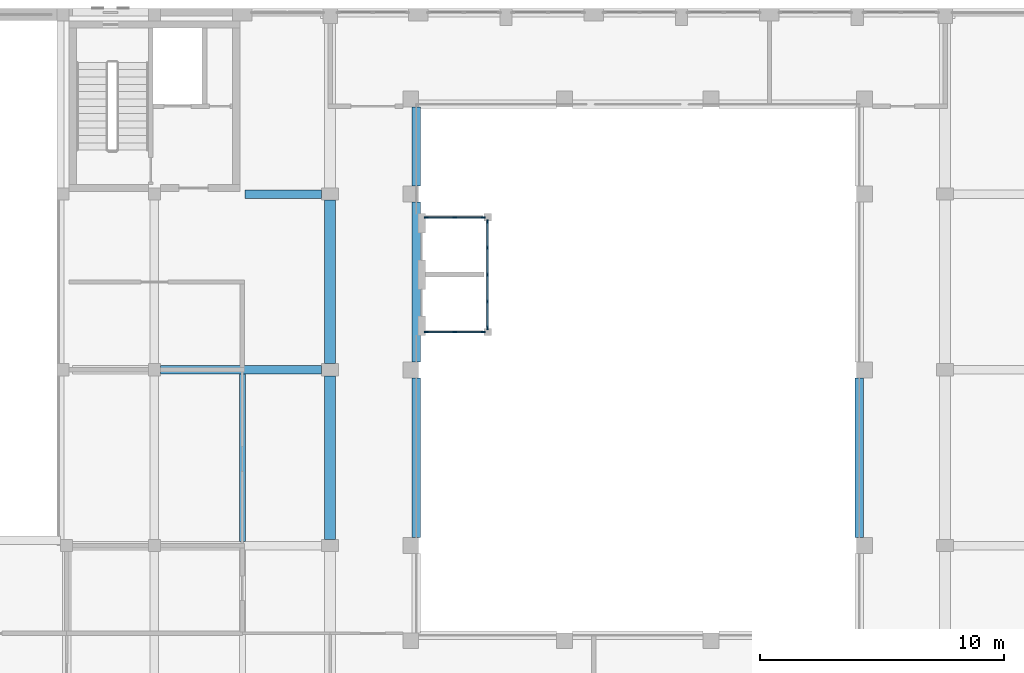
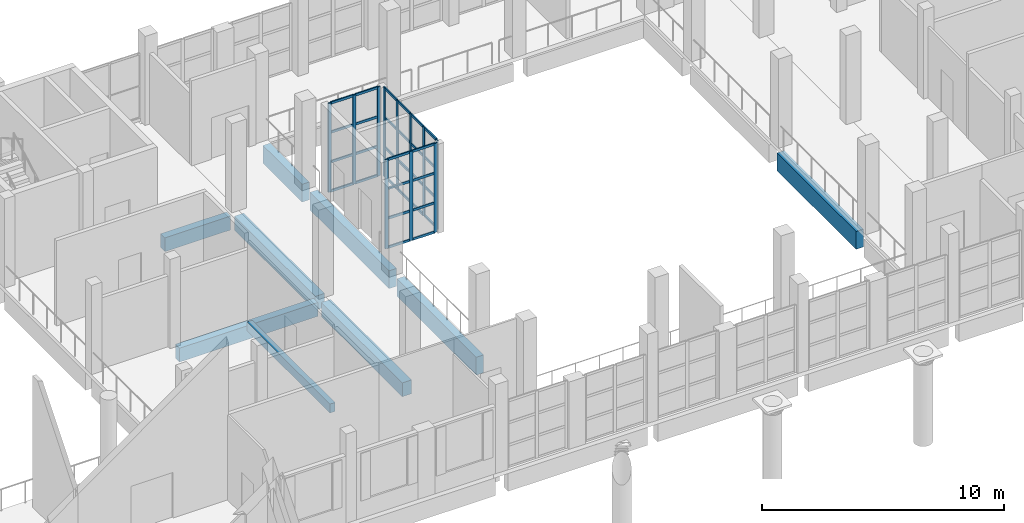
# One storey, part 6 of 59: 43 members, 9 beams, 3 elements without a shape of their own.
"""IFC4 building model written with IfcOpenShell, lengths in metres."""

from ifc_helpers import new_model, si_unit, direction, frame, origin, origin_2d, place, context, subcontext, project, spatial, rectangle, extrude, material, layer, layer_set, material_profile, profile_set, type_object, element, aggregate, save


model = new_model("IFC4")

# Units and contexts
model_context = context("Model", 3, precision=1e-05, world=origin(), true_north=direction((0.0, 1.0)))
body_context = subcontext(model_context, "Body", "Model", "MODEL_VIEW")
ifc_project = project(units=[si_unit("LENGTHUNIT", "METRE"), si_unit("AREAUNIT", "SQUARE_METRE"), si_unit("VOLUMEUNIT", "CUBIC_METRE"), si_unit("PLANEANGLEUNIT", "RADIAN"), si_unit("MASSUNIT", "GRAM", prefix="KILO")], contexts=[model_context])

# Site, building, storey
site_placement = place(None, origin())
site = spatial("IfcSite", under=ifc_project, at=site_placement, CompositionType="ELEMENT")
building_placement = place(site_placement, origin())
building = spatial("IfcBuilding", under=site, at=building_placement, Name="Ussher Court Research Institute", CompositionType="ELEMENT")
storey_placement = place(building_placement, frame((0.0, 0.0, 5.39990234375)))
storey = spatial("IfcBuildingStorey", under=building, at=storey_placement, Name="L01", CompositionType="ELEMENT", Elevation=5.39990234375)

# Curtain wall, members
ifc_material_1 = material(Name="Bronze anodised aluminium with low-e glass", Category="aluminium")
ifc_layer = layer(ifc_material_1, 0.1201171875)
ifc_layer_set = layer_set([ifc_layer], Name="Bronze anodised aluminium with low-e glass")
curtain_wall_type = type_object("IfcCurtainWallType", Name="Curtain wall atrium clear glazing", PredefinedType="NOTDEFINED", material=ifc_layer_set)
curtain_wall_1_placement = place(storey_placement, origin())
curtain_wall_1 = element("IfcCurtainWall", 1, at=curtain_wall_1_placement, inside=storey, type_object=curtain_wall_type, Name="Curtain wall CW2 lift shaft L01", PredefinedType="NOTDEFINED")
ifc_material_2 = material(Name="Bronze anodised aluminium", Category="aluminium")
ifc_material_profile_1 = material_profile(ifc_material_2, rectangle(XDim=0.06005859375, YDim=0.159912109375, at=origin_2d()), Name="Mullion 60x160")
ifc_profile_set_1 = profile_set([ifc_material_profile_1], Name="Bronze anodised aluminium")
member_type_1 = type_object("IfcMemberType", Name="Mullion 60x160", PredefinedType="MULLION", material=ifc_profile_set_1)
member_1_placement = place(storey_placement, frame((42.929931640625, 27.14990234375, 0.0), z_axis=(0.0, 0.0, 1.0), x_axis=(0.0, 1.0, 0.0)))
member_1 = element("IfcMember", 2, at=member_1_placement, type_object=member_type_1, Name="CW2 mullion 1", PredefinedType="MULLION", context=body_context, shape_type="SweptSolid", body=[
    extrude(rectangle(XDim=0.06005859375, YDim=0.159912109375, at=origin_2d()), origin(), (0.0, 0.0, 1.0), 4.5),
])
member_2_placement = place(storey_placement, frame((44.10009765625, 27.14990234375, 0.0), z_axis=(0.0, 0.0, 1.0), x_axis=(0.0, 1.0, 0.0)))
member_2 = element("IfcMember", 3, at=member_2_placement, type_object=member_type_1, Name="CW2 mullion 2", PredefinedType="MULLION", context=body_context, shape_type="SweptSolid", body=[
    extrude(rectangle(XDim=0.06005859375, YDim=0.159912109375, at=origin_2d()), origin(), (0.0, 0.0, 1.0), 4.5),
])
member_3_placement = place(storey_placement, frame((45.27001953125, 27.14990234375, 0.0), z_axis=(0.0, 0.0, 1.0), x_axis=(0.0, 1.0, 0.0)))
member_3 = element("IfcMember", 4, at=member_3_placement, type_object=member_type_1, Name="CW2 mullion 3", PredefinedType="MULLION", context=body_context, shape_type="SweptSolid", body=[
    extrude(rectangle(XDim=0.06005859375, YDim=0.159912109375, at=origin_2d()), origin(), (0.0, 0.0, 1.0), 4.5),
])

curtain_wall_2_placement = place(storey_placement, origin())
curtain_wall_2 = element("IfcCurtainWall", 5, at=curtain_wall_2_placement, inside=storey, type_object=curtain_wall_type, Name="Curtain wall CW2 lift shaft L01", PredefinedType="NOTDEFINED")
member_4_placement = place(storey_placement, frame((42.929931640625, 31.85009765625, 0.0), z_axis=(0.0, 0.0, 1.0), x_axis=(0.0, 1.0, 0.0)))
member_4 = element("IfcMember", 6, at=member_4_placement, type_object=member_type_1, Name="CW2 mullion 1", PredefinedType="MULLION", context=body_context, shape_type="SweptSolid", body=[
    extrude(rectangle(XDim=0.06005859375, YDim=0.159912109375, at=origin_2d()), origin(), (0.0, 0.0, 1.0), 4.5),
])
member_5_placement = place(storey_placement, frame((44.10009765625, 31.85009765625, 0.0), z_axis=(0.0, 0.0, 1.0), x_axis=(0.0, 1.0, 0.0)))
member_5 = element("IfcMember", 7, at=member_5_placement, type_object=member_type_1, Name="CW2 mullion 2", PredefinedType="MULLION", context=body_context, shape_type="SweptSolid", body=[
    extrude(rectangle(XDim=0.06005859375, YDim=0.159912109375, at=origin_2d()), origin(), (0.0, 0.0, 1.0), 4.5),
])
member_6_placement = place(storey_placement, frame((45.27001953125, 31.85009765625, 0.0), z_axis=(0.0, 0.0, 1.0), x_axis=(0.0, 1.0, 0.0)))
member_6 = element("IfcMember", 8, at=member_6_placement, type_object=member_type_1, Name="CW2 mullion 3", PredefinedType="MULLION", context=body_context, shape_type="SweptSolid", body=[
    extrude(rectangle(XDim=0.06005859375, YDim=0.159912109375, at=origin_2d()), origin(), (0.0, 0.0, 1.0), 4.5),
])

curtain_wall_3_placement = place(storey_placement, origin())
curtain_wall_3 = element("IfcCurtainWall", 9, at=curtain_wall_3_placement, inside=storey, type_object=curtain_wall_type, Name="Curtain wall CW2 lift shaft L01", PredefinedType="NOTDEFINED")
member_7_placement = place(storey_placement, frame((45.449951171875, 27.330078125, 0.0), z_axis=(0.0, 0.0, 1.0), x_axis=(-1.0, 0.0, 0.0)))
member_7 = element("IfcMember", 10, at=member_7_placement, type_object=member_type_1, Name="CW2 mullion 1", PredefinedType="MULLION", context=body_context, shape_type="SweptSolid", body=[
    extrude(rectangle(XDim=0.06005859375, YDim=0.159912109375, at=origin_2d()), origin(), (0.0, 0.0, 1.0), 4.5),
])
member_8_placement = place(storey_placement, frame((45.449951171875, 28.39990234375, 0.0), z_axis=(0.0, 0.0, 1.0), x_axis=(-1.0, 0.0, 0.0)))
member_8 = element("IfcMember", 11, at=member_8_placement, type_object=member_type_1, Name="CW2 mullion 2", PredefinedType="MULLION", context=body_context, shape_type="SweptSolid", body=[
    extrude(rectangle(XDim=0.06005859375, YDim=0.159912109375, at=origin_2d()), origin(), (0.0, 0.0, 1.0), 4.5),
])
member_9_placement = place(storey_placement, frame((45.449951171875, 29.5, 0.0), z_axis=(0.0, 0.0, 1.0), x_axis=(-1.0, 0.0, 0.0)))
member_9 = element("IfcMember", 12, at=member_9_placement, type_object=member_type_1, Name="CW2 mullion 3", PredefinedType="MULLION", context=body_context, shape_type="SweptSolid", body=[
    extrude(rectangle(XDim=0.06005859375, YDim=0.159912109375, at=origin_2d()), origin(), (0.0, 0.0, 1.0), 4.5),
])
member_10_placement = place(storey_placement, frame((45.449951171875, 30.60009765625, 0.0), z_axis=(0.0, 0.0, 1.0), x_axis=(-1.0, 0.0, 0.0)))
member_10 = element("IfcMember", 13, at=member_10_placement, type_object=member_type_1, Name="CW2 mullion 4", PredefinedType="MULLION", context=body_context, shape_type="SweptSolid", body=[
    extrude(rectangle(XDim=0.06005859375, YDim=0.159912109375, at=origin_2d()), origin(), (0.0, 0.0, 1.0), 4.5),
])
member_11_placement = place(storey_placement, frame((45.449951171875, 31.669921875, 0.0), z_axis=(0.0, 0.0, 1.0), x_axis=(-1.0, 0.0, 0.0)))
member_11 = element("IfcMember", 14, at=member_11_placement, type_object=member_type_1, Name="CW2 mullion 5", PredefinedType="MULLION", context=body_context, shape_type="SweptSolid", body=[
    extrude(rectangle(XDim=0.06005859375, YDim=0.159912109375, at=origin_2d()), origin(), (0.0, 0.0, 1.0), 4.5),
])

# Beams
ifc_material_3 = material(Name="Concrete C35/45", Category="concrete")
ifc_material_profile_2 = material_profile(ifc_material_3, rectangle(XDim=0.25, YDim=0.449951171875, at=origin_2d()), Name="RC 250x450")
ifc_profile_set_2 = profile_set([ifc_material_profile_2], Name="Concrete C35/45")
beam_type_1 = type_object("IfcBeamType", Name="RC 250x450 beam", PredefinedType="BEAM", material=ifc_profile_set_2)
beam_1_placement = place(storey_placement, frame((35.39990234375, 18.574951171875, -0.224853515625), z_axis=(0.0, 1.0, 0.0), x_axis=(-1.0, 0.0, 0.0)))
element("IfcBeam", 15, at=beam_1_placement, inside=storey, type_object=beam_type_1, Name="B1 V7 L01-02", PredefinedType="BEAM", context=body_context, shape_type="SweptSolid", body=[
    extrude(rectangle(XDim=0.25, YDim=0.449951171875, at=origin_2d()), origin(), (0.0, 0.0, 1.0), 6.85009765625),
])
ifc_material_4 = material(Name="Concrete C35/45", Category="concrete")
ifc_material_profile_3 = material_profile(ifc_material_4, rectangle(XDim=0.35009765625, YDim=0.699951171875, at=origin_2d()), Name="RC 350x700")
ifc_profile_set_3 = profile_set([ifc_material_profile_3], Name="Concrete C35/45")
beam_type_2 = type_object("IfcBeamType", Name="RC 350x700 beam", PredefinedType="BEAM", material=ifc_profile_set_3)
beam_2_placement = place(storey_placement, frame((32.050048828125, 25.60009765625, -0.5498046875), z_axis=(1.0, 0.0, 0.0), x_axis=(0.0, 1.0, 0.0)))
element("IfcBeam", 16, at=beam_2_placement, inside=storey, type_object=beam_type_2, Name="B16 V7 L01-07", PredefinedType="BEAM", context=body_context, shape_type="SweptSolid", body=[
    extrude(rectangle(XDim=0.35009765625, YDim=0.699951171875, at=origin_2d()), origin(), (0.0, 0.0, 1.0), 6.599853515625),
])
beam_3_placement = place(storey_placement, frame((35.5, 32.800048828125, -0.5498046875), z_axis=(1.0, 0.0, 0.0), x_axis=(0.0, 1.0, 0.0)))
element("IfcBeam", 17, at=beam_3_placement, inside=storey, type_object=beam_type_2, Name="B16 V7 L01-11", PredefinedType="BEAM", context=body_context, shape_type="SweptSolid", body=[
    extrude(rectangle(XDim=0.35009765625, YDim=0.699951171875, at=origin_2d()), origin(), (0.0, 0.0, 1.0), 3.14990234375),
])
ifc_material_5 = material(Name="Concrete C35/45", Category="concrete")
ifc_material_profile_4 = material_profile(ifc_material_5, rectangle(XDim=0.35009765625, YDim=0.89990234375, at=origin_2d()), Name="RC 350x900")
ifc_profile_set_4 = profile_set([ifc_material_profile_4], Name="Concrete C35/45")
beam_type_3 = type_object("IfcBeamType", Name="RC 350x900 beam", PredefinedType="BEAM", material=ifc_profile_set_4)
beam_4_placement = place(storey_placement, frame((42.52490234375, 18.72509765625, -0.64990234375), z_axis=(0.0, 1.0, 0.0), x_axis=(-1.0, 0.0, 0.0)))
element("IfcBeam", 18, at=beam_4_placement, inside=storey, type_object=beam_type_3, Name="SB1 V2 L01-10", PredefinedType="BEAM", context=body_context, shape_type="SweptSolid", body=[
    extrude(rectangle(XDim=0.35009765625, YDim=0.89990234375, at=origin_2d()), origin(), (0.0, 0.0, 1.0), 6.5498046875),
])
beam_5_placement = place(storey_placement, frame((42.52490234375, 25.925048828125, -0.64990234375), z_axis=(0.0, 1.0, 0.0), x_axis=(-1.0, 0.0, 0.0)))
element("IfcBeam", 19, at=beam_5_placement, inside=storey, type_object=beam_type_3, Name="SB1 V2 L01-11", PredefinedType="BEAM", context=body_context, shape_type="SweptSolid", body=[
    extrude(rectangle(XDim=0.35009765625, YDim=0.89990234375, at=origin_2d()), origin(), (0.0, 0.0, 1.0), 6.550048828125),
])
beam_6_placement = place(storey_placement, frame((42.52490234375, 33.125, -0.64990234375), z_axis=(0.0, 1.0, 0.0), x_axis=(-1.0, 0.0, 0.0)))
element("IfcBeam", 20, at=beam_6_placement, inside=storey, type_object=beam_type_3, Name="SB1 V2 L01-12", PredefinedType="BEAM", context=body_context, shape_type="SweptSolid", body=[
    extrude(rectangle(XDim=0.35009765625, YDim=0.89990234375, at=origin_2d()), origin(), (0.0, 0.0, 1.0), 3.25),
])
beam_7_placement = place(storey_placement, frame((60.675048828125, 18.72509765625, -0.64990234375), z_axis=(0.0, 1.0, 0.0), x_axis=(-1.0, 0.0, 0.0)))
element("IfcBeam", 21, at=beam_7_placement, inside=storey, type_object=beam_type_3, Name="SB1 V2 L01-14", PredefinedType="BEAM", context=body_context, shape_type="SweptSolid", body=[
    extrude(rectangle(XDim=0.35009765625, YDim=0.89990234375, at=origin_2d()), origin(), (0.0, 0.0, 1.0), 6.5498046875),
])
ifc_material_6 = material(Name="Concrete C35/45", Category="concrete")
ifc_material_profile_5 = material_profile(ifc_material_6, rectangle(XDim=0.449951171875, YDim=0.699951171875, at=origin_2d()), Name="RC 450x700")
ifc_profile_set_5 = profile_set([ifc_material_profile_5], Name="Concrete C35/45")
beam_type_4 = type_object("IfcBeamType", Name="RC 450x700 beam", PredefinedType="BEAM", material=ifc_profile_set_5)
beam_8_placement = place(storey_placement, frame((39.0, 18.64990234375, -0.5498046875), z_axis=(0.0, 1.0, 0.0), x_axis=(-1.0, 0.0, 0.0)))
element("IfcBeam", 22, at=beam_8_placement, inside=storey, type_object=beam_type_4, Name="B10 V2 L01-02", PredefinedType="BEAM", context=body_context, shape_type="SweptSolid", body=[
    extrude(rectangle(XDim=0.449951171875, YDim=0.699951171875, at=origin_2d()), origin(), (0.0, 0.0, 1.0), 6.7001953125),
])
beam_9_placement = place(storey_placement, frame((39.0, 25.85009765625, -0.5498046875), z_axis=(0.0, 1.0, 0.0), x_axis=(-1.0, 0.0, 0.0)))
element("IfcBeam", 23, at=beam_9_placement, inside=storey, type_object=beam_type_4, Name="B10 V2 L01-03", PredefinedType="BEAM", context=body_context, shape_type="SweptSolid", body=[
    extrude(rectangle(XDim=0.449951171875, YDim=0.699951171875, at=origin_2d()), origin(), (0.0, 0.0, 1.0), 6.699951171875),
])

# Member
ifc_material_7 = material(Name="Bronze anodised aluminium", Category="aluminium")
ifc_material_profile_6 = material_profile(ifc_material_7, rectangle(XDim=0.06005859375, YDim=0.1201171875, at=origin_2d()), Name="Transom 60x120")
ifc_profile_set_6 = profile_set([ifc_material_profile_6], Name="Bronze anodised aluminium")
member_type_2 = type_object("IfcMemberType", Name="Transom 60x120", PredefinedType="USERDEFINED", material=ifc_profile_set_6)
member_12_placement = place(storey_placement, frame((42.9599609375, 27.14990234375, 0.030029296875), z_axis=(1.0, 0.0, 0.0), x_axis=(0.0, 1.0, 0.0)))
member_12 = element("IfcMember", 24, at=member_12_placement, type_object=member_type_2, Name="CW2 transom 1.1", ObjectType="TRANSOM", PredefinedType="USERDEFINED", context=body_context, shape_type="SweptSolid", body=[
    extrude(rectangle(XDim=0.06005859375, YDim=0.1201171875, at=origin_2d()), origin(), (0.0, 0.0, 1.0), 1.110107421875),
])

member_13_placement = place(storey_placement, frame((42.9599609375, 27.14990234375, 1.5), z_axis=(1.0, 0.0, 0.0), x_axis=(0.0, 1.0, 0.0)))
member_13 = element("IfcMember", 25, at=member_13_placement, type_object=member_type_2, Name="CW2 transom 1.2", ObjectType="TRANSOM", PredefinedType="USERDEFINED", context=body_context, shape_type="SweptSolid", body=[
    extrude(rectangle(XDim=0.06005859375, YDim=0.1201171875, at=origin_2d()), origin(), (0.0, 0.0, 1.0), 1.110107421875),
])

member_14_placement = place(storey_placement, frame((42.9599609375, 27.14990234375, 3.0), z_axis=(1.0, 0.0, 0.0), x_axis=(0.0, 1.0, 0.0)))
member_14 = element("IfcMember", 26, at=member_14_placement, type_object=member_type_2, Name="CW2 transom 1.3", ObjectType="TRANSOM", PredefinedType="USERDEFINED", context=body_context, shape_type="SweptSolid", body=[
    extrude(rectangle(XDim=0.06005859375, YDim=0.1201171875, at=origin_2d()), origin(), (0.0, 0.0, 1.0), 1.110107421875),
])

member_15_placement = place(storey_placement, frame((42.9599609375, 27.14990234375, 4.47021484375), z_axis=(1.0, 0.0, 0.0), x_axis=(0.0, 1.0, 0.0)))
member_15 = element("IfcMember", 27, at=member_15_placement, type_object=member_type_2, Name="CW2 transom 1.4", ObjectType="TRANSOM", PredefinedType="USERDEFINED", context=body_context, shape_type="SweptSolid", body=[
    extrude(rectangle(XDim=0.06005859375, YDim=0.1201171875, at=origin_2d()), origin(), (0.0, 0.0, 1.0), 1.110107421875),
])

member_16_placement = place(storey_placement, frame((44.1298828125, 27.14990234375, 0.030029296875), z_axis=(1.0, 0.0, 0.0), x_axis=(0.0, 1.0, 0.0)))
member_16 = element("IfcMember", 28, at=member_16_placement, type_object=member_type_2, Name="CW2 transom 2.1", ObjectType="TRANSOM", PredefinedType="USERDEFINED", context=body_context, shape_type="SweptSolid", body=[
    extrude(rectangle(XDim=0.06005859375, YDim=0.1201171875, at=origin_2d()), origin(), (0.0, 0.0, 1.0), 1.110107421875),
])

member_17_placement = place(storey_placement, frame((44.1298828125, 27.14990234375, 1.5), z_axis=(1.0, 0.0, 0.0), x_axis=(0.0, 1.0, 0.0)))
member_17 = element("IfcMember", 29, at=member_17_placement, type_object=member_type_2, Name="CW2 transom 2.2", ObjectType="TRANSOM", PredefinedType="USERDEFINED", context=body_context, shape_type="SweptSolid", body=[
    extrude(rectangle(XDim=0.06005859375, YDim=0.1201171875, at=origin_2d()), origin(), (0.0, 0.0, 1.0), 1.110107421875),
])

member_18_placement = place(storey_placement, frame((44.1298828125, 27.14990234375, 3.0), z_axis=(1.0, 0.0, 0.0), x_axis=(0.0, 1.0, 0.0)))
member_18 = element("IfcMember", 30, at=member_18_placement, type_object=member_type_2, Name="CW2 transom 2.3", ObjectType="TRANSOM", PredefinedType="USERDEFINED", context=body_context, shape_type="SweptSolid", body=[
    extrude(rectangle(XDim=0.06005859375, YDim=0.1201171875, at=origin_2d()), origin(), (0.0, 0.0, 1.0), 1.110107421875),
])

member_19_placement = place(storey_placement, frame((44.1298828125, 27.14990234375, 4.47021484375), z_axis=(1.0, 0.0, 0.0), x_axis=(0.0, 1.0, 0.0)))
member_19 = element("IfcMember", 31, at=member_19_placement, type_object=member_type_2, Name="CW2 transom 2.4", ObjectType="TRANSOM", PredefinedType="USERDEFINED", context=body_context, shape_type="SweptSolid", body=[
    extrude(rectangle(XDim=0.06005859375, YDim=0.1201171875, at=origin_2d()), origin(), (0.0, 0.0, 1.0), 1.110107421875),
])

aggregate(curtain_wall_1, [member_1, member_2, member_3, member_12, member_13, member_14, member_15, member_16, member_17, member_18, member_19])

member_20_placement = place(storey_placement, frame((42.9599609375, 31.85009765625, 0.030029296875), z_axis=(1.0, 0.0, 0.0), x_axis=(0.0, 1.0, 0.0)))
member_20 = element("IfcMember", 32, at=member_20_placement, type_object=member_type_2, Name="CW2 transom 1.1", ObjectType="TRANSOM", PredefinedType="USERDEFINED", context=body_context, shape_type="SweptSolid", body=[
    extrude(rectangle(XDim=0.06005859375, YDim=0.1201171875, at=origin_2d()), origin(), (0.0, 0.0, 1.0), 1.110107421875),
])

member_21_placement = place(storey_placement, frame((42.9599609375, 31.85009765625, 1.5), z_axis=(1.0, 0.0, 0.0), x_axis=(0.0, 1.0, 0.0)))
member_21 = element("IfcMember", 33, at=member_21_placement, type_object=member_type_2, Name="CW2 transom 1.2", ObjectType="TRANSOM", PredefinedType="USERDEFINED", context=body_context, shape_type="SweptSolid", body=[
    extrude(rectangle(XDim=0.06005859375, YDim=0.1201171875, at=origin_2d()), origin(), (0.0, 0.0, 1.0), 1.110107421875),
])

member_22_placement = place(storey_placement, frame((42.9599609375, 31.85009765625, 3.0), z_axis=(1.0, 0.0, 0.0), x_axis=(0.0, 1.0, 0.0)))
member_22 = element("IfcMember", 34, at=member_22_placement, type_object=member_type_2, Name="CW2 transom 1.3", ObjectType="TRANSOM", PredefinedType="USERDEFINED", context=body_context, shape_type="SweptSolid", body=[
    extrude(rectangle(XDim=0.06005859375, YDim=0.1201171875, at=origin_2d()), origin(), (0.0, 0.0, 1.0), 1.110107421875),
])

member_23_placement = place(storey_placement, frame((42.9599609375, 31.85009765625, 4.47021484375), z_axis=(1.0, 0.0, 0.0), x_axis=(0.0, 1.0, 0.0)))
member_23 = element("IfcMember", 35, at=member_23_placement, type_object=member_type_2, Name="CW2 transom 1.4", ObjectType="TRANSOM", PredefinedType="USERDEFINED", context=body_context, shape_type="SweptSolid", body=[
    extrude(rectangle(XDim=0.06005859375, YDim=0.1201171875, at=origin_2d()), origin(), (0.0, 0.0, 1.0), 1.110107421875),
])

member_24_placement = place(storey_placement, frame((44.1298828125, 31.85009765625, 0.030029296875), z_axis=(1.0, 0.0, 0.0), x_axis=(0.0, 1.0, 0.0)))
member_24 = element("IfcMember", 36, at=member_24_placement, type_object=member_type_2, Name="CW2 transom 2.1", ObjectType="TRANSOM", PredefinedType="USERDEFINED", context=body_context, shape_type="SweptSolid", body=[
    extrude(rectangle(XDim=0.06005859375, YDim=0.1201171875, at=origin_2d()), origin(), (0.0, 0.0, 1.0), 1.110107421875),
])

member_25_placement = place(storey_placement, frame((44.1298828125, 31.85009765625, 1.5), z_axis=(1.0, 0.0, 0.0), x_axis=(0.0, 1.0, 0.0)))
member_25 = element("IfcMember", 37, at=member_25_placement, type_object=member_type_2, Name="CW2 transom 2.2", ObjectType="TRANSOM", PredefinedType="USERDEFINED", context=body_context, shape_type="SweptSolid", body=[
    extrude(rectangle(XDim=0.06005859375, YDim=0.1201171875, at=origin_2d()), origin(), (0.0, 0.0, 1.0), 1.110107421875),
])

member_26_placement = place(storey_placement, frame((44.1298828125, 31.85009765625, 3.0), z_axis=(1.0, 0.0, 0.0), x_axis=(0.0, 1.0, 0.0)))
member_26 = element("IfcMember", 38, at=member_26_placement, type_object=member_type_2, Name="CW2 transom 2.3", ObjectType="TRANSOM", PredefinedType="USERDEFINED", context=body_context, shape_type="SweptSolid", body=[
    extrude(rectangle(XDim=0.06005859375, YDim=0.1201171875, at=origin_2d()), origin(), (0.0, 0.0, 1.0), 1.110107421875),
])

member_27_placement = place(storey_placement, frame((44.1298828125, 31.85009765625, 4.47021484375), z_axis=(1.0, 0.0, 0.0), x_axis=(0.0, 1.0, 0.0)))
member_27 = element("IfcMember", 39, at=member_27_placement, type_object=member_type_2, Name="CW2 transom 2.4", ObjectType="TRANSOM", PredefinedType="USERDEFINED", context=body_context, shape_type="SweptSolid", body=[
    extrude(rectangle(XDim=0.06005859375, YDim=0.1201171875, at=origin_2d()), origin(), (0.0, 0.0, 1.0), 1.110107421875),
])

aggregate(curtain_wall_2, [member_4, member_5, member_6, member_20, member_21, member_22, member_23, member_24, member_25, member_26, member_27])

member_28_placement = place(storey_placement, frame((45.449951171875, 27.360107421875, 0.030029296875), z_axis=(0.0, 1.0, 0.0), x_axis=(-1.0, 0.0, 0.0)))
member_28 = element("IfcMember", 40, at=member_28_placement, type_object=member_type_2, Name="CW2 transom 1.1", ObjectType="TRANSOM", PredefinedType="USERDEFINED", context=body_context, shape_type="SweptSolid", body=[
    extrude(rectangle(XDim=0.06005859375, YDim=0.1201171875, at=origin_2d()), origin(), (0.0, 0.0, 1.0), 1.010009765625),
])

member_29_placement = place(storey_placement, frame((45.449951171875, 27.360107421875, 1.5), z_axis=(0.0, 1.0, 0.0), x_axis=(-1.0, 0.0, 0.0)))
member_29 = element("IfcMember", 41, at=member_29_placement, type_object=member_type_2, Name="CW2 transom 1.2", ObjectType="TRANSOM", PredefinedType="USERDEFINED", context=body_context, shape_type="SweptSolid", body=[
    extrude(rectangle(XDim=0.06005859375, YDim=0.1201171875, at=origin_2d()), origin(), (0.0, 0.0, 1.0), 1.010009765625),
])

member_30_placement = place(storey_placement, frame((45.449951171875, 27.360107421875, 3.0), z_axis=(0.0, 1.0, 0.0), x_axis=(-1.0, 0.0, 0.0)))
member_30 = element("IfcMember", 42, at=member_30_placement, type_object=member_type_2, Name="CW2 transom 1.3", ObjectType="TRANSOM", PredefinedType="USERDEFINED", context=body_context, shape_type="SweptSolid", body=[
    extrude(rectangle(XDim=0.06005859375, YDim=0.1201171875, at=origin_2d()), origin(), (0.0, 0.0, 1.0), 1.010009765625),
])

member_31_placement = place(storey_placement, frame((45.449951171875, 27.360107421875, 4.47021484375), z_axis=(0.0, 1.0, 0.0), x_axis=(-1.0, 0.0, 0.0)))
member_31 = element("IfcMember", 43, at=member_31_placement, type_object=member_type_2, Name="CW2 transom 1.4", ObjectType="TRANSOM", PredefinedType="USERDEFINED", context=body_context, shape_type="SweptSolid", body=[
    extrude(rectangle(XDim=0.06005859375, YDim=0.1201171875, at=origin_2d()), origin(), (0.0, 0.0, 1.0), 1.010009765625),
])

member_32_placement = place(storey_placement, frame((45.449951171875, 28.429931640625, 0.030029296875), z_axis=(0.0, 1.0, 0.0), x_axis=(-1.0, 0.0, 0.0)))
member_32 = element("IfcMember", 44, at=member_32_placement, type_object=member_type_2, Name="CW2 transom 2.1", ObjectType="TRANSOM", PredefinedType="USERDEFINED", context=body_context, shape_type="SweptSolid", body=[
    extrude(rectangle(XDim=0.06005859375, YDim=0.1201171875, at=origin_2d()), origin(), (0.0, 0.0, 1.0), 1.0400390625),
])

member_33_placement = place(storey_placement, frame((45.449951171875, 28.429931640625, 1.5), z_axis=(0.0, 1.0, 0.0), x_axis=(-1.0, 0.0, 0.0)))
member_33 = element("IfcMember", 45, at=member_33_placement, type_object=member_type_2, Name="CW2 transom 2.2", ObjectType="TRANSOM", PredefinedType="USERDEFINED", context=body_context, shape_type="SweptSolid", body=[
    extrude(rectangle(XDim=0.06005859375, YDim=0.1201171875, at=origin_2d()), origin(), (0.0, 0.0, 1.0), 1.0400390625),
])

member_34_placement = place(storey_placement, frame((45.449951171875, 28.429931640625, 3.0), z_axis=(0.0, 1.0, 0.0), x_axis=(-1.0, 0.0, 0.0)))
member_34 = element("IfcMember", 46, at=member_34_placement, type_object=member_type_2, Name="CW2 transom 2.3", ObjectType="TRANSOM", PredefinedType="USERDEFINED", context=body_context, shape_type="SweptSolid", body=[
    extrude(rectangle(XDim=0.06005859375, YDim=0.1201171875, at=origin_2d()), origin(), (0.0, 0.0, 1.0), 1.0400390625),
])

member_35_placement = place(storey_placement, frame((45.449951171875, 28.429931640625, 4.47021484375), z_axis=(0.0, 1.0, 0.0), x_axis=(-1.0, 0.0, 0.0)))
member_35 = element("IfcMember", 47, at=member_35_placement, type_object=member_type_2, Name="CW2 transom 2.4", ObjectType="TRANSOM", PredefinedType="USERDEFINED", context=body_context, shape_type="SweptSolid", body=[
    extrude(rectangle(XDim=0.06005859375, YDim=0.1201171875, at=origin_2d()), origin(), (0.0, 0.0, 1.0), 1.0400390625),
])

member_36_placement = place(storey_placement, frame((45.449951171875, 29.530029296875, 0.030029296875), z_axis=(0.0, 1.0, 0.0), x_axis=(-1.0, 0.0, 0.0)))
member_36 = element("IfcMember", 48, at=member_36_placement, type_object=member_type_2, Name="CW2 transom 3.1", ObjectType="TRANSOM", PredefinedType="USERDEFINED", context=body_context, shape_type="SweptSolid", body=[
    extrude(rectangle(XDim=0.06005859375, YDim=0.1201171875, at=origin_2d()), origin(), (0.0, 0.0, 1.0), 1.0400390625),
])

member_37_placement = place(storey_placement, frame((45.449951171875, 29.530029296875, 1.5), z_axis=(0.0, 1.0, 0.0), x_axis=(-1.0, 0.0, 0.0)))
member_37 = element("IfcMember", 49, at=member_37_placement, type_object=member_type_2, Name="CW2 transom 3.2", ObjectType="TRANSOM", PredefinedType="USERDEFINED", context=body_context, shape_type="SweptSolid", body=[
    extrude(rectangle(XDim=0.06005859375, YDim=0.1201171875, at=origin_2d()), origin(), (0.0, 0.0, 1.0), 1.0400390625),
])

member_38_placement = place(storey_placement, frame((45.449951171875, 29.530029296875, 3.0), z_axis=(0.0, 1.0, 0.0), x_axis=(-1.0, 0.0, 0.0)))
member_38 = element("IfcMember", 50, at=member_38_placement, type_object=member_type_2, Name="CW2 transom 3.3", ObjectType="TRANSOM", PredefinedType="USERDEFINED", context=body_context, shape_type="SweptSolid", body=[
    extrude(rectangle(XDim=0.06005859375, YDim=0.1201171875, at=origin_2d()), origin(), (0.0, 0.0, 1.0), 1.0400390625),
])

member_39_placement = place(storey_placement, frame((45.449951171875, 29.530029296875, 4.47021484375), z_axis=(0.0, 1.0, 0.0), x_axis=(-1.0, 0.0, 0.0)))
member_39 = element("IfcMember", 51, at=member_39_placement, type_object=member_type_2, Name="CW2 transom 3.4", ObjectType="TRANSOM", PredefinedType="USERDEFINED", context=body_context, shape_type="SweptSolid", body=[
    extrude(rectangle(XDim=0.06005859375, YDim=0.1201171875, at=origin_2d()), origin(), (0.0, 0.0, 1.0), 1.0400390625),
])

member_40_placement = place(storey_placement, frame((45.449951171875, 30.6298828125, 0.030029296875), z_axis=(0.0, 1.0, 0.0), x_axis=(-1.0, 0.0, 0.0)))
member_40 = element("IfcMember", 52, at=member_40_placement, type_object=member_type_2, Name="CW2 transom 4.1", ObjectType="TRANSOM", PredefinedType="USERDEFINED", context=body_context, shape_type="SweptSolid", body=[
    extrude(rectangle(XDim=0.06005859375, YDim=0.1201171875, at=origin_2d()), origin(), (0.0, 0.0, 1.0), 1.010009765625),
])

member_41_placement = place(storey_placement, frame((45.449951171875, 30.6298828125, 1.5), z_axis=(0.0, 1.0, 0.0), x_axis=(-1.0, 0.0, 0.0)))
member_41 = element("IfcMember", 53, at=member_41_placement, type_object=member_type_2, Name="CW2 transom 4.2", ObjectType="TRANSOM", PredefinedType="USERDEFINED", context=body_context, shape_type="SweptSolid", body=[
    extrude(rectangle(XDim=0.06005859375, YDim=0.1201171875, at=origin_2d()), origin(), (0.0, 0.0, 1.0), 1.010009765625),
])

member_42_placement = place(storey_placement, frame((45.449951171875, 30.6298828125, 3.0), z_axis=(0.0, 1.0, 0.0), x_axis=(-1.0, 0.0, 0.0)))
member_42 = element("IfcMember", 54, at=member_42_placement, type_object=member_type_2, Name="CW2 transom 4.3", ObjectType="TRANSOM", PredefinedType="USERDEFINED", context=body_context, shape_type="SweptSolid", body=[
    extrude(rectangle(XDim=0.06005859375, YDim=0.1201171875, at=origin_2d()), origin(), (0.0, 0.0, 1.0), 1.010009765625),
])

member_43_placement = place(storey_placement, frame((45.449951171875, 30.6298828125, 4.47021484375), z_axis=(0.0, 1.0, 0.0), x_axis=(-1.0, 0.0, 0.0)))
member_43 = element("IfcMember", 55, at=member_43_placement, type_object=member_type_2, Name="CW2 transom 4.4", ObjectType="TRANSOM", PredefinedType="USERDEFINED", context=body_context, shape_type="SweptSolid", body=[
    extrude(rectangle(XDim=0.06005859375, YDim=0.1201171875, at=origin_2d()), origin(), (0.0, 0.0, 1.0), 1.010009765625),
])

aggregate(curtain_wall_3, [member_7, member_8, member_9, member_10, member_11, member_28, member_29, member_30, member_31, member_32, member_33, member_34, member_35, member_36, member_37, member_38, member_39, member_40, member_41, member_42, member_43])

save(model, "model.ifc")
